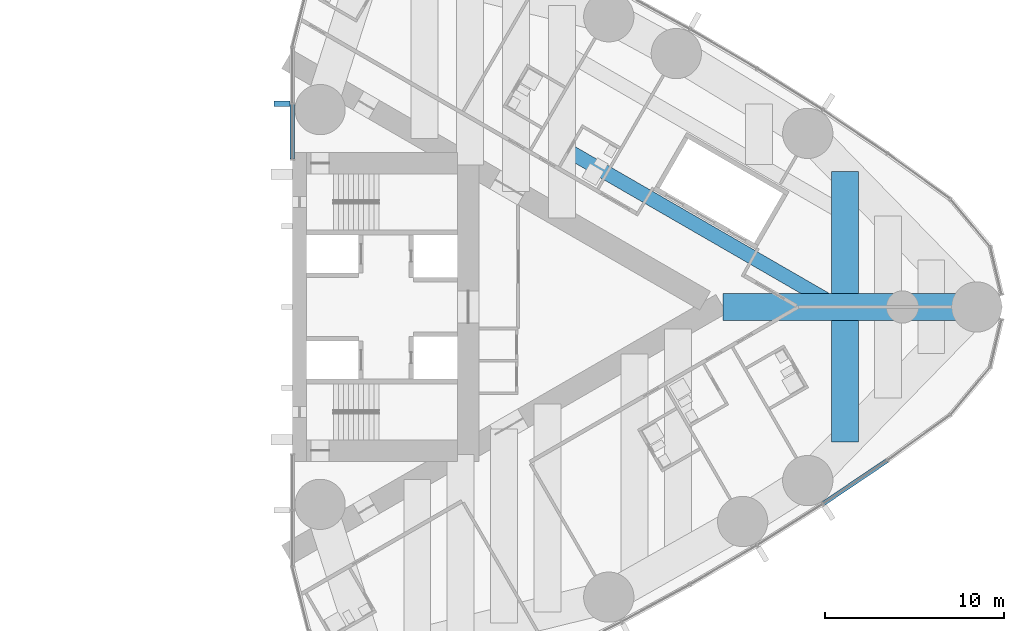
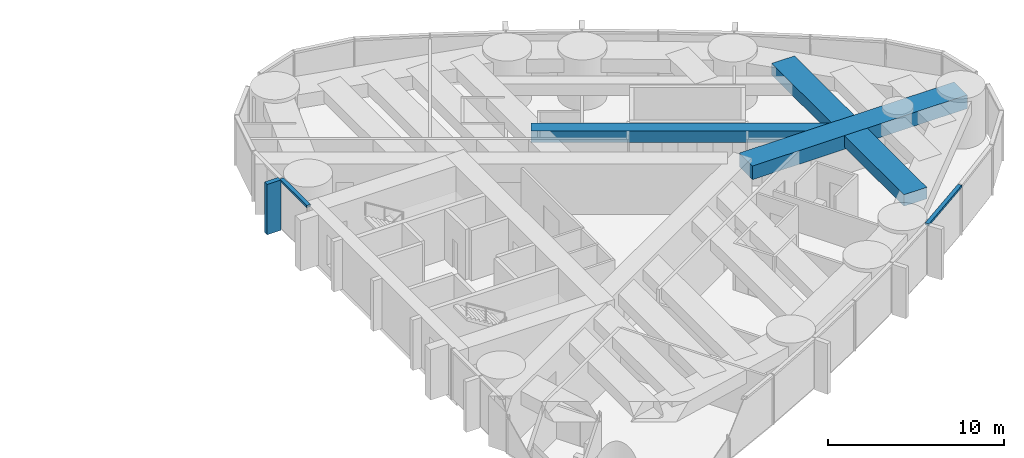
# One storey, part 7 of 19: 4 beams, 3 members, 2 elements without a shape of their own.
"""IFC4 building model written with IfcOpenShell, lengths in metres."""

from ifc_helpers import new_model, si_unit, direction, frame, origin, origin_2d, place, context, subcontext, project, spatial, rectangle, hollow_rectangle, extrude, material, material_profile, profile_set, type_object, element, aggregate, save


model = new_model("IFC4")

# Units and contexts
model_context = context("Model", 3, precision=1e-05, world=origin(), true_north=direction((0.0, 1.0)))
body_context = subcontext(model_context, "Body", "Model", "MODEL_VIEW")
ifc_project = project(units=[si_unit("LENGTHUNIT", "METRE"), si_unit("AREAUNIT", "SQUARE_METRE"), si_unit("VOLUMEUNIT", "CUBIC_METRE"), si_unit("PLANEANGLEUNIT", "RADIAN"), si_unit("MASSUNIT", "GRAM", prefix="KILO")], contexts=[model_context])

# Site, building, storey
site_placement = place(None, origin())
site = spatial("IfcSite", under=ifc_project, at=site_placement, CompositionType="ELEMENT")
building_placement = place(site_placement, origin())
building = spatial("IfcBuilding", under=site, at=building_placement, Name="Lancet Gate Hotel", CompositionType="ELEMENT")
storey_placement = place(building_placement, frame((0.0, 0.0, 163.300048828125)))
storey = spatial("IfcBuildingStorey", under=building, at=storey_placement, Name="L43", CompositionType="ELEMENT", Elevation=163.300048828125)

# Curtain wall, member
ifc_material_1 = material(Name="Aluminium curtain wall", Category="aluminium")
curtain_wall_type = type_object("IfcCurtainWallType", Name="Tower unitised curtain wall", PredefinedType="USERDEFINED", material=ifc_material_1)
curtain_wall_1_placement = place(storey_placement, origin())
curtain_wall_1 = element("IfcCurtainWall", 1, at=curtain_wall_1_placement, inside=storey, type_object=curtain_wall_type, Name="T2 L43 curtain wall 2", ObjectType="UNITISED CURTAIN WALL", PredefinedType="USERDEFINED")
ifc_material_2 = material(Name="Aluminium transom", Category="aluminium")
ifc_material_profile_1 = material_profile(ifc_material_2, rectangle(XDim=0.25, YDim=0.14990234375, at=origin_2d()), Name="TRANSOM 250x150")
ifc_profile_set_1 = profile_set([ifc_material_profile_1], Name="Aluminium transom")
member_type_1 = type_object("IfcMemberType", Name="Aluminium transom 250x150", PredefinedType="USERDEFINED", material=ifc_profile_set_1)
member_1_placement = place(storey_placement, frame((57.093994140625, -10.952880859375, 3.425048828125), z_axis=(0.829046850689, 0.559179147826, 0.0), x_axis=(-0.559179147826, 0.829046850689, 0.0)))
member_1 = element("IfcMember", 2, at=member_1_placement, type_object=member_type_1, Name="T2 L43 curtain wall 2 transom 8", ObjectType="TRANSOM", PredefinedType="USERDEFINED", context=body_context, shape_type="SweptSolid", body=[
    extrude(rectangle(XDim=0.25, YDim=0.14990234375, at=origin_2d()), origin(), (0.0, 0.0, 1.0), 4.26904296875),
])
aggregate(curtain_wall_1, [member_1])

# Curtain wall, members
curtain_wall_2_placement = place(storey_placement, origin())
curtain_wall_2 = element("IfcCurtainWall", 3, at=curtain_wall_2_placement, inside=storey, type_object=curtain_wall_type, Name="T2 L43 curtain wall 4", ObjectType="UNITISED CURTAIN WALL", PredefinedType="USERDEFINED")
member_2_placement = place(storey_placement, frame((27.5, 11.30029296875, 3.425048828125), z_axis=(0.0, -1.0, 0.0), x_axis=(1.0, 0.0, 0.0)))
member_2 = element("IfcMember", 4, at=member_2_placement, type_object=member_type_1, Name="T2 L43 curtain wall 4 transom 4", ObjectType="TRANSOM", PredefinedType="USERDEFINED", context=body_context, shape_type="SweptSolid", body=[
    extrude(rectangle(XDim=0.25, YDim=0.14990234375, at=origin_2d()), origin(), (0.0, 0.0, 1.0), 3.06787109375),
])
ifc_material_3 = material(Name="Precast concrete C50/60", Category="concrete")
ifc_material_profile_2 = material_profile(ifc_material_3, rectangle(XDim=0.300048828125, YDim=0.89990234375, at=origin_2d()), Name="FIN 300x900")
ifc_profile_set_2 = profile_set([ifc_material_profile_2], Name="Precast concrete C50/60")
member_type_2 = type_object("IfcMemberType", Name="Exposed concrete fin 300x900", PredefinedType="USERDEFINED", material=ifc_profile_set_2)
member_3_placement = place(storey_placement, frame((26.925048828125, 11.332763671875, 0.0), z_axis=(0.0, 0.0, 1.0), x_axis=(0.0, -1.0, 0.0)))
member_3 = element("IfcMember", 5, at=member_3_placement, type_object=member_type_2, Name="T2 L43 curtain wall 4 fin 4", ObjectType="FIN", PredefinedType="USERDEFINED", context=body_context, shape_type="SweptSolid", body=[
    extrude(rectangle(XDim=0.300048828125, YDim=0.89990234375, at=origin_2d()), origin(), (0.0, 0.0, 1.0), 3.5),
])
aggregate(curtain_wall_2, [member_3, member_2])

# Beams
ifc_material_4 = material(Name="Concrete C50/60", Category="concrete")
ifc_material_profile_3 = material_profile(ifc_material_4, rectangle(XDim=1.5, YDim=0.800048828125, at=origin_2d()), Name="RC 1500x800")
ifc_profile_set_3 = profile_set([ifc_material_profile_3], Name="Concrete C50/60")
beam_type_1 = type_object("IfcBeamType", Name="Floor beam RC 1500x800", PredefinedType="BEAM", material=ifc_profile_set_3)
for number, where, z_axis, x_axis, name in (
    (6, (58.30224609375, -7.534912109375, 2.849853515625), (0.0, 1.0, 0.0), (-1.0, 0.0, 0.0), "T2 floor beam F12S L43"),
    (7, (58.30224609375, 0.75, 2.849853515625), (0.0, 1.0, 0.0), (-1.0, 0.0, 0.0), "T2 floor beam F13N L43"),
):
    element("IfcBeam", number, at=place(storey_placement, frame(where, z_axis=z_axis, x_axis=x_axis)), inside=storey, type_object=beam_type_1, Name=name, PredefinedType="BEAM", context=body_context, shape_type="SweptSolid", body=[
        extrude(rectangle(XDim=1.5, YDim=0.800048828125, at=origin_2d()), origin(), (0.0, 0.0, 1.0), 6.784912109375),
    ])
ifc_material_5 = material(Name="Concrete C50/60", Category="concrete")
ifc_material_profile_4 = material_profile(ifc_material_5, rectangle(XDim=1.5, YDim=0.949951171875, at=origin_2d()), Name="RC 1500x950")
ifc_profile_set_4 = profile_set([ifc_material_profile_4], Name="Concrete C50/60")
beam_type_2 = type_object("IfcBeamType", Name="Radial floor beam RC 1500x950", PredefinedType="BEAM", material=ifc_profile_set_4)
beam_1_placement = place(storey_placement, frame((65.6396484375, 0.0, 2.77490234375), z_axis=(-1.0, 0.0, 0.0), x_axis=(0.0, -1.0, 0.0)))
element("IfcBeam", 8, at=beam_1_placement, inside=storey, type_object=beam_type_2, Name="T2 radial beam CA L43", PredefinedType="BEAM", context=body_context, shape_type="SweptSolid", body=[
    extrude(rectangle(XDim=1.5, YDim=0.949951171875, at=origin_2d()), origin(), (0.0, 0.0, 1.0), 14.137451171875),
])
ifc_material_6 = material(Name="Steel S460QL", Category="steel")
ifc_material_profile_5 = material_profile(ifc_material_6, hollow_rectangle(XDim=0.800048828125, YDim=0.800048828125, WallThickness=0.080078125, at=origin_2d()), Name="BOX 800x800x80")
ifc_profile_set_5 = profile_set([ifc_material_profile_5], Name="Steel S460QL")
beam_type_3 = type_object("IfcBeamType", Name="Trimmer beam BOX 800x800x80", PredefinedType="BEAM", material=ifc_profile_set_5)
beam_2_placement = place(storey_placement, frame((42.51904296875, 8.90185546875, 2.849853515625), z_axis=(0.865994419471, -0.500053662566, 0.0), x_axis=(0.500053662566, 0.865994419471, 0.0)))
element("IfcBeam", 9, at=beam_2_placement, inside=storey, type_object=beam_type_3, Name="T2 trimmer beam TR02N L43", PredefinedType="BEAM", context=body_context, shape_type="SweptSolid", body=[
    extrude(hollow_rectangle(XDim=0.800048828125, YDim=0.800048828125, WallThickness=0.080078125, at=origin_2d()), origin(), (0.0, 0.0, 1.0), 17.8017578125),
])

save(model, "model.ifc")
